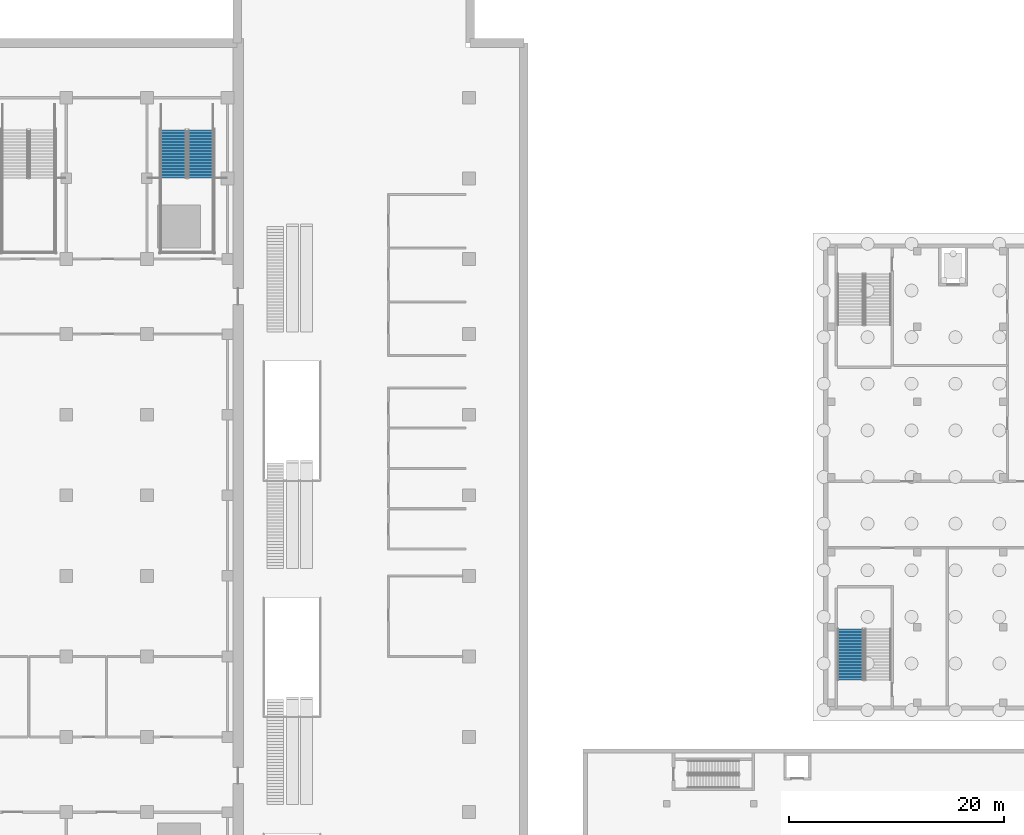
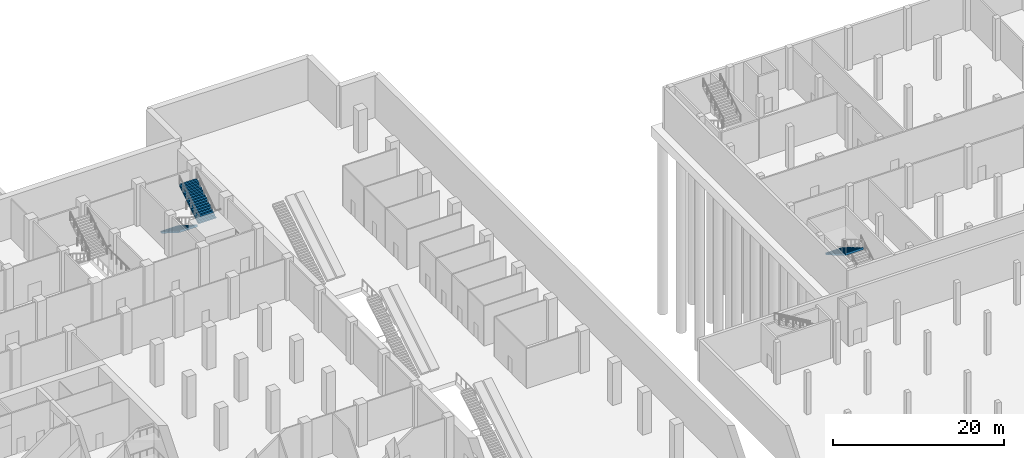
# One storey, part 25 of 45: 3 stair flights, 2 elements without a shape of their own.
"""IFC4 building model written with IfcOpenShell, lengths in metres."""

import ifcopenshell
import ifcopenshell.guid

model = None  # the IFC model being written
_history = None  # IfcOwnerHistory: only IFC2X3 demands one
_inside = {}  # id of a spatial element -> (the spatial element, [elements in it])
_under = {}  # id of a project, library or spatial element -> (it, [spatial elements below it])
_declared = {}  # id of a project -> (the project, [libraries it declares])
_typed = {}  # id of a type object -> (the type object, [elements of that type])
_made_of = {}  # id of a material, layer set ... -> (it, [elements and type objects made of it])


def new_model(schema):
    """Start an empty IFC model of exactly this schema.

    Asked for "IFC4X3", IfcOpenShell would pick the latest addendum, in which some entities
    have other attributes; the version numbers below select the first issue.
    IFC2X3 requires an IfcOwnerHistory on every rooted entity: one is made here for all.
    """
    global model, _history
    if schema == "IFC4X3":
        model = ifcopenshell.file(schema_version=(4, 3, 0, 0))
    else:
        model = ifcopenshell.file(schema=schema)
    _inside.clear()
    _under.clear()
    _declared.clear()
    _typed.clear()
    _made_of.clear()
    _history = None
    if model.schema == "IFC2X3":
        org = make("IfcOrganization", Name="unknown")
        user = make(
            "IfcPersonAndOrganization",
            ThePerson=make("IfcPerson", FamilyName="unknown"),
            TheOrganization=org,
        )
        app = make(
            "IfcApplication",
            ApplicationDeveloper=org,
            Version="unknown",
            ApplicationFullName="unknown",
            ApplicationIdentifier="unknown",
        )
        _history = make(
            "IfcOwnerHistory",
            OwningUser=user,
            OwningApplication=app,
            ChangeAction="ADDED",
            CreationDate=0,
        )
    return model


def make(cls, **values):
    """One entity of the class cls with the attributes given. An attribute that is None is left unset."""
    return model.create_entity(
        cls, **{name: value for name, value in values.items() if value is not None}
    )


def rooted(cls, **values):
    """An entity with a GlobalId (a new one), such as an element, a storey or a relation."""
    return make(cls, GlobalId=ifcopenshell.guid.new(), OwnerHistory=_history, **values)


def si_unit(unit_type, name, prefix=None):
    """IfcSIUnit, for example si_unit("LENGTHUNIT", "METRE", prefix="MILLI")."""
    return make("IfcSIUnit", UnitType=unit_type, Prefix=prefix, Name=name)


def assignment(units):
    """IfcUnitAssignment: the units of a project."""
    return None if units is None else make("IfcUnitAssignment", Units=units)


def point(xyz):
    """IfcCartesianPoint."""
    return None if xyz is None else make("IfcCartesianPoint", Coordinates=xyz)


def direction(xyz):
    """IfcDirection."""
    return None if xyz is None else make("IfcDirection", DirectionRatios=xyz)


def frame(location, z_axis=None, x_axis=None):
    """IfcAxis2Placement3D, a coordinate frame: its origin and axes. An axis left out is left unset."""
    return make(
        "IfcAxis2Placement3D",
        Location=point(location),
        Axis=direction(z_axis),
        RefDirection=direction(x_axis),
    )


def origin():
    """The frame at (0, 0, 0) with its axes left unset."""
    return frame((0.0, 0.0, 0.0))


def place(relative_to, where):
    """IfcLocalPlacement: puts the frame where relative to a parent placement (None: the world)."""
    return make(
        "IfcLocalPlacement", PlacementRelTo=relative_to, RelativePlacement=where
    )


def context(
    kind, dimensions, precision=None, world=None, true_north=None, identifier=None
):
    """IfcGeometricRepresentationContext, for example the 3D "Model" context."""
    return make(
        "IfcGeometricRepresentationContext",
        ContextIdentifier=identifier,
        ContextType=kind,
        CoordinateSpaceDimension=dimensions,
        Precision=precision,
        WorldCoordinateSystem=world,
        TrueNorth=true_north,
    )


def subcontext(parent, identifier, kind, view, scale=None):
    """IfcGeometricRepresentationSubContext, for example "Body" below "Model"."""
    return make(
        "IfcGeometricRepresentationSubContext",
        ContextIdentifier=identifier,
        ContextType=kind,
        ParentContext=parent,
        TargetScale=scale,
        TargetView=view,
    )


def project(units=None, contexts=None):
    """IfcProject with its units and contexts."""
    return rooted(
        "IfcProject",
        Name="project",
        RepresentationContexts=contexts,
        UnitsInContext=assignment(units),
    )


def spatial(cls, under=None, at=None, **own):
    """A site, building, storey or space (cls), placed at a placement, below another one or the project."""
    s = rooted(cls, ObjectPlacement=at, **own)
    if under is not None:
        _under.setdefault(under.id(), (under, []))[1].append(s)
    return s


def polyline(points):
    """IfcPolyline through the points."""
    return make("IfcPolyline", Points=[point(p) for p in points])


def outline(outer, holes=None, kind="AREA"):
    """IfcArbitraryClosedProfileDef: a profile drawn as a closed curve; with holes, ...WithVoids."""
    if holes is None:
        return make("IfcArbitraryClosedProfileDef", ProfileType=kind, OuterCurve=outer)
    return make(
        "IfcArbitraryProfileDefWithVoids",
        ProfileType=kind,
        OuterCurve=outer,
        InnerCurves=holes,
    )


def extrude(swept, where, along, depth):
    """IfcExtrudedAreaSolid: the profile swept, set in the frame where, extruded along a direction by depth."""
    return make(
        "IfcExtrudedAreaSolid",
        SweptArea=swept,
        Position=where,
        ExtrudedDirection=direction(along),
        Depth=depth,
    )


def shape(context_of_items, identifier, shape_type, items):
    """IfcShapeRepresentation: the items that make up one representation, for example the "Body"."""
    return make(
        "IfcShapeRepresentation",
        ContextOfItems=context_of_items,
        RepresentationIdentifier=identifier,
        RepresentationType=shape_type,
        Items=items,
    )


def material(Name=None, Category=None):
    """IfcMaterial."""
    return make("IfcMaterial", Name=Name, Category=Category)


def made_of(thing, what):
    """Note that an element or type object is made of a material, layer set ...; save() writes the relation."""
    if what is not None:
        _made_of.setdefault(what.id(), (what, []))[1].append(thing)
    return thing


def type_object(cls, material=None, **own):
    """A type object (cls), such as IfcWallType, which elements share."""
    return made_of(rooted(cls, **own), material)


def element(
    cls,
    number,
    at=None,
    inside=None,
    cuts=None,
    type_object=None,
    material=None,
    context=None,
    identifier="Body",
    shape_type=None,
    held_by="IfcProductDefinitionShape",
    body=None,
    shapes=None,
    **own,
):
    """One element of the class cls, such as IfcWall. Its Tag is "e" and its number.

    at: its placement. inside: the storey or other place that contains it. cuts: it is an
    opening in that element (IfcRelVoidsElement). A single representation is given by context,
    identifier, shape_type and body (its items); several are given by shapes. held_by: the class
    of the entity that holds the representations. save() writes the other relations.
    """
    e = rooted(cls, Tag="e%d" % number, ObjectPlacement=at, **own)
    if body is not None:
        shapes = [shape(context, identifier, shape_type, body)]
    if shapes is not None:
        e.Representation = make(held_by, Representations=shapes)
    if inside is not None:
        _inside.setdefault(inside.id(), (inside, []))[1].append(e)
    if cuts is not None:
        rooted(
            "IfcRelVoidsElement", RelatingBuildingElement=cuts, RelatedOpeningElement=e
        )
    if type_object is not None:
        _typed.setdefault(type_object.id(), (type_object, []))[1].append(e)
    return made_of(e, material)


def aggregate(whole, parts):
    """IfcRelAggregates: a whole, such as a stair, and the parts it consists of."""
    return rooted("IfcRelAggregates", RelatingObject=whole, RelatedObjects=parts)


def save(model, path):
    """Write the relations noted so far, then the file.

    IfcRelAggregates (storeys below a building ...), IfcRelContainedInSpatialStructure (elements
    in a storey), IfcRelDefinesByType, IfcRelAssociatesMaterial and IfcRelDeclares: one each for
    every whole, place, type object, material and project.
    """
    for whole, parts in _under.values():
        aggregate(whole, parts)
    for where, things in _inside.values():
        rooted(
            "IfcRelContainedInSpatialStructure",
            RelatedElements=things,
            RelatingStructure=where,
        )
    for kind, things in _typed.values():
        rooted("IfcRelDefinesByType", RelatedObjects=things, RelatingType=kind)
    for what, things in _made_of.values():
        rooted("IfcRelAssociatesMaterial", RelatedObjects=things, RelatingMaterial=what)
    for by, libraries in _declared.values():
        rooted("IfcRelDeclares", RelatingContext=by, RelatedDefinitions=libraries)
    model.write(path)


model = new_model("IFC4")

# Units and contexts
model_context = context("Model", 3, precision=1e-05, world=origin(), true_north=direction((0.0, 1.0)))
body_context = subcontext(model_context, "Body", "Model", "MODEL_VIEW")
ifc_project = project(units=[si_unit("LENGTHUNIT", "METRE"), si_unit("AREAUNIT", "SQUARE_METRE"), si_unit("VOLUMEUNIT", "CUBIC_METRE"), si_unit("PLANEANGLEUNIT", "RADIAN"), si_unit("MASSUNIT", "GRAM", prefix="KILO")], contexts=[model_context])

# Site, building, storey
site_placement = place(None, origin())
site = spatial("IfcSite", under=ifc_project, at=site_placement, CompositionType="ELEMENT")
building_placement = place(site_placement, origin())
building = spatial("IfcBuilding", under=site, at=building_placement, Name="Tamorin Gate", CompositionType="ELEMENT")
storey_placement = place(building_placement, frame((0.0, 0.0, -6.0)))
storey = spatial("IfcBuildingStorey", under=building, at=storey_placement, Name="B1", CompositionType="ELEMENT", Elevation=-6.0)

# Stair, stair flight
ifc_material_1 = material(Name="Concrete C40/50", Category="concrete")
stair_type_1 = type_object("IfcStairType", Name="Museum exit stair 2400 C40/50", PredefinedType="HALF_TURN_STAIR", material=ifc_material_1)
stair_1_placement = place(storey_placement, origin())
stair_1 = element("IfcStair", 1, at=stair_1_placement, inside=storey, type_object=stair_type_1, Name="B1 PS8", PredefinedType="HALF_TURN_STAIR")
stair_flight_type_1 = type_object("IfcStairFlightType", Name="Museum exit stair flight 2400 C40/50", PredefinedType="STRAIGHT", material=ifc_material_1)
stair_flight_1_placement = place(storey_placement, frame((147.5, 62.56005859375, 3.0), z_axis=(0.0, 0.0, 1.0), x_axis=(0.0, -1.0, 0.0)))
stair_flight_1 = element("IfcStairFlight", 2, at=stair_flight_1_placement, type_object=stair_flight_type_1, Name="PS8 flight 2", NumberOfRisers=18, NumberOfTreads=17, PredefinedType="STRAIGHT", RiserHeight=0.166666667, TreadLength=0.28, context=body_context, shape_type="SweptSolid", body=[
    extrude(outline(polyline([(-0.00048828125, 0.0), (-0.00048828125, 0.001708984375), (-0.00048828125, 0.00341796875), (-0.00048828125, 0.0048828125), (-0.00048828125, 0.006591796875), (-0.00048828125, 0.00830078125), (-0.00048828125, 0.010009765625), (-0.00048828125, 0.011474609375), (-0.00048828125, 0.01318359375), (-0.00048828125, 0.014892578125), (-0.00048828125, 0.0166015625), (-0.00048828125, 0.01806640625), (-0.00048828125, 0.019775390625), (-0.00048828125, 0.021484375), (-0.00048828125, 0.023193359375), (-0.00048828125, 0.024658203125), (-0.00048828125, 0.0263671875), (-0.00048828125, 0.028076171875), (-0.00048828125, 0.02978515625), (-0.00048828125, 0.03125), (-0.00048828125, 0.032958984375), (-0.00048828125, 0.03466796875), (-0.00048828125, 0.036376953125), (-0.00048828125, 0.037841796875), (-0.00048828125, 0.03955078125), (-0.00048828125, 0.041259765625), (-0.00048828125, 0.04296875), (-0.00048828125, 0.04443359375), (-0.00048828125, 0.046142578125), (-0.00048828125, 0.0478515625), (-0.00048828125, 0.049560546875), (-0.00048828125, 0.05126953125), (-0.00048828125, 0.052734375), (-0.00048828125, 0.054443359375), (-0.00048828125, 0.05615234375), (-0.00048828125, 0.057861328125), (-0.00048828125, 0.059326171875), (-0.00048828125, 0.06103515625), (-0.00048828125, 0.062744140625), (-0.00048828125, 0.064453125), (-0.00048828125, 0.06591796875), (-0.00048828125, 0.067626953125), (-0.00048828125, 0.0693359375), (-0.00048828125, 0.071044921875), (-0.00048828125, 0.072509765625), (-0.00048828125, 0.07421875), (-0.00048828125, 0.075927734375), (-0.00048828125, 0.07763671875), (-0.00048828125, 0.0791015625), (-0.00048828125, 0.080810546875), (-0.00048828125, 0.08251953125), (-0.00048828125, 0.084228515625), (-0.00048828125, 0.085693359375), (-0.00048828125, 0.08740234375), (-0.00048828125, 0.089111328125), (-0.00048828125, 0.0908203125), (-0.00048828125, 0.092529296875), (-0.00048828125, 0.093994140625), (-0.00048828125, 0.095703125), (-0.00048828125, 0.097412109375), (-0.00048828125, 0.09912109375), (-0.00048828125, 0.1005859375), (-0.00048828125, 0.102294921875), (-0.00048828125, 0.10400390625), (-0.00048828125, 0.105712890625), (-0.00048828125, 0.107177734375), (-0.00048828125, 0.10888671875), (-0.00048828125, 0.110595703125), (-0.00048828125, 0.1123046875), (-0.00048828125, 0.11376953125), (-0.00048828125, 0.115478515625), (-0.00048828125, 0.1171875), (-0.00048828125, 0.118896484375), (-0.00048828125, 0.120361328125), (-0.00048828125, 0.1220703125), (-0.00048828125, 0.123779296875), (-0.00048828125, 0.12548828125), (-0.00048828125, 0.126953125), (-0.00048828125, 0.128662109375), (-0.00048828125, 0.13037109375), (-0.00048828125, 0.132080078125), (-0.00048828125, 0.133544921875), (-0.00048828125, 0.13525390625), (-0.00048828125, 0.136962890625), (-0.00048828125, 0.138671875), (-0.00048828125, 0.140380859375), (-0.00048828125, 0.141845703125), (-0.00048828125, 0.1435546875), (-0.00048828125, 0.145263671875), (-0.00048828125, 0.14697265625), (-0.00048828125, 0.1484375), (-0.00048828125, 0.150146484375), (-0.00048828125, 0.15185546875), (-0.00048828125, 0.153564453125), (-0.00048828125, 0.155029296875), (-0.00048828125, 0.15673828125), (-0.00048828125, 0.158447265625), (-0.00048828125, 0.16015625), (-0.00048828125, 0.16162109375), (-0.00048828125, 0.163330078125), (-0.00048828125, 0.1650390625), (-0.00048828125, 0.166748046875), (0.280029296875, 0.166748046875), (0.280029296875, 0.333251953125), (0.56005859375, 0.333251953125), (0.56005859375, 0.5), (0.840087890625, 0.5), (0.840087890625, 0.666748046875), (1.1201171875, 0.666748046875), (1.1201171875, 0.833251953125), (1.39990234375, 0.833251953125), (1.39990234375, 1.0), (1.679931640625, 1.0), (1.679931640625, 1.166748046875), (1.9599609375, 1.166748046875), (1.9599609375, 1.333251953125), (2.239990234375, 1.333251953125), (2.239990234375, 1.5), (2.52001953125, 1.5), (2.52001953125, 1.666748046875), (2.800048828125, 1.666748046875), (2.800048828125, 1.833251953125), (3.080078125, 1.833251953125), (3.080078125, 2.0), (3.360107421875, 2.0), (3.360107421875, 2.166748046875), (3.639892578125, 2.166748046875), (3.639892578125, 2.333251953125), (3.919921875, 2.333251953125), (3.919921875, 2.5), (4.199951171875, 2.5), (4.199951171875, 2.666748046875), (4.47998046875, 2.666748046875), (4.47998046875, 2.833251953125), (4.760009765625, 2.833251953125), (4.760009765625, 3.0), (4.760498046875, 3.0), (4.760498046875, 2.99658203125), (4.760498046875, 2.9931640625), (4.760498046875, 2.98974609375), (4.760498046875, 2.986572265625), (4.760498046875, 2.983154296875), (4.760498046875, 2.979736328125), (4.760498046875, 2.976318359375), (4.760498046875, 2.972900390625), (4.760498046875, 2.969482421875), (4.760498046875, 2.96630859375), (4.760498046875, 2.962890625), (4.760498046875, 2.95947265625), (4.760498046875, 2.9560546875), (4.760498046875, 2.95263671875), (4.760498046875, 2.94921875), (4.760498046875, 2.946044921875), (4.760498046875, 2.942626953125), (4.760498046875, 2.939208984375), (4.760498046875, 2.935791015625), (4.760498046875, 2.932373046875), (4.760498046875, 2.928955078125), (4.760498046875, 2.92578125), (4.760498046875, 2.92236328125), (4.760498046875, 2.9189453125), (4.760498046875, 2.91552734375), (4.760498046875, 2.912109375), (4.760498046875, 2.90869140625), (4.760498046875, 2.905517578125), (4.760498046875, 2.902099609375), (4.760498046875, 2.898681640625), (4.760498046875, 2.895263671875), (4.760498046875, 2.891845703125), (4.760498046875, 2.888427734375), (4.760498046875, 2.88525390625), (4.760498046875, 2.8818359375), (4.760498046875, 2.87841796875), (4.760498046875, 2.875), (4.760498046875, 2.87158203125), (4.760498046875, 2.8681640625), (4.760498046875, 2.864990234375), (4.760498046875, 2.861572265625), (4.760498046875, 2.858154296875), (4.760498046875, 2.854736328125), (4.760498046875, 2.851318359375), (4.760498046875, 2.847900390625), (4.760498046875, 2.8447265625), (4.760498046875, 2.84130859375), (4.760498046875, 2.837890625), (4.760498046875, 2.83447265625), (4.760498046875, 2.8310546875), (4.760498046875, 2.82763671875), (4.760498046875, 2.824462890625), (4.760498046875, 2.821044921875), (4.760498046875, 2.817626953125), (4.760498046875, 2.814208984375), (4.760498046875, 2.810791015625), (4.760498046875, 2.807373046875), (4.760498046875, 2.80419921875), (4.760498046875, 2.80078125), (4.760498046875, 2.79736328125), (4.760498046875, 2.7939453125), (4.760498046875, 2.79052734375), (4.760498046875, 2.787109375), (4.760498046875, 2.783935546875), (4.760498046875, 2.780517578125), (4.760498046875, 2.777099609375), (4.760498046875, 2.773681640625), (4.760498046875, 2.770263671875), (4.760498046875, 2.766845703125), (4.760498046875, 2.763671875), (4.760498046875, 2.76025390625), (4.760498046875, 2.7568359375), (4.760498046875, 2.75341796875), (4.760498046875, 2.75), (4.760498046875, 2.74658203125), (4.760498046875, 2.743408203125), (4.760498046875, 2.739990234375), (4.760498046875, 2.736572265625), (4.760498046875, 2.733154296875), (4.760498046875, 2.729736328125), (4.760498046875, 2.726318359375), (4.760498046875, 2.72314453125), (4.760498046875, 2.7197265625), (4.760498046875, 2.71630859375), (4.760498046875, 2.712890625), (4.760498046875, 2.70947265625), (4.760498046875, 2.7060546875), (4.760498046875, 2.702880859375), (4.760498046875, 2.699462890625), (4.760498046875, 2.696044921875), (4.760498046875, 2.692626953125), (4.760498046875, 2.689208984375), (4.760498046875, 2.685791015625), (4.760498046875, 2.6826171875), (4.760498046875, 2.67919921875), (4.760498046875, 2.67578125), (4.760498046875, 2.67236328125), (4.760498046875, 2.6689453125), (4.760498046875, 2.66552734375), (4.760498046875, 2.662353515625), (4.760498046875, 2.658935546875), (4.760009765625, 2.658935546875), (0.29296875, 0.0), (-0.00048828125, 0.0)])), frame((0.0, 1.199951171875, 0.0), z_axis=(0.0, -1.0, 0.0), x_axis=(1.0, 0.0, 0.0)), (0.0, 0.0, 1.0), 2.39990234375),
])
aggregate(stair_1, [stair_flight_1])

# Stair, stair flights
ifc_material_2 = material(Name="Reinforced concrete C32/40", Category="concrete")
stair_type_2 = type_object("IfcStairType", Name="Basement stair SB", PredefinedType="HALF_TURN_STAIR", material=ifc_material_2)
stair_2_placement = place(storey_placement, origin())
stair_2 = element("IfcStair", 3, at=stair_2_placement, inside=storey, type_object=stair_type_2, Name="B1 Basement stair SB5", PredefinedType="HALF_TURN_STAIR")
stair_flight_type_2 = type_object("IfcStairFlightType", Name="Stair flight 2400", PredefinedType="STRAIGHT", material=ifc_material_2)
stair_flight_2_placement = place(storey_placement, frame((84.47509765625, 109.0, 0.0), z_axis=(0.0, 0.0, 1.0), x_axis=(0.0, -1.0, 0.0)))
stair_flight_2 = element("IfcStairFlight", 4, at=stair_flight_2_placement, type_object=stair_flight_type_2, Name="SB5 flight 1", NumberOfRisers=17, NumberOfTreads=16, PredefinedType="STRAIGHT", RiserHeight=0.176470588, TreadLength=0.28, context=body_context, shape_type="SweptSolid", body=[
    extrude(outline(polyline([(-0.00048828125, 0.0), (-0.00048828125, 0.001708984375), (-0.00048828125, 0.00341796875), (-0.00048828125, 0.005126953125), (-0.00048828125, 0.007080078125), (-0.00048828125, 0.0087890625), (-0.00048828125, 0.010498046875), (-0.00048828125, 0.01220703125), (-0.00048828125, 0.013916015625), (-0.00048828125, 0.015625), (-0.00048828125, 0.017578125), (-0.00048828125, 0.019287109375), (-0.00048828125, 0.02099609375), (-0.00048828125, 0.022705078125), (-0.00048828125, 0.0244140625), (-0.00048828125, 0.026123046875), (-0.00048828125, 0.028076171875), (-0.00048828125, 0.02978515625), (-0.00048828125, 0.031494140625), (-0.00048828125, 0.033203125), (-0.00048828125, 0.034912109375), (-0.00048828125, 0.03662109375), (-0.00048828125, 0.038330078125), (-0.00048828125, 0.040283203125), (-0.00048828125, 0.0419921875), (-0.00048828125, 0.043701171875), (-0.00048828125, 0.04541015625), (-0.00048828125, 0.047119140625), (-0.00048828125, 0.048828125), (-0.00048828125, 0.05078125), (-0.00048828125, 0.052490234375), (-0.00048828125, 0.05419921875), (-0.00048828125, 0.055908203125), (-0.00048828125, 0.0576171875), (-0.00048828125, 0.059326171875), (-0.00048828125, 0.06103515625), (-0.00048828125, 0.06298828125), (-0.00048828125, 0.064697265625), (-0.00048828125, 0.06640625), (-0.00048828125, 0.068115234375), (-0.00048828125, 0.06982421875), (-0.00048828125, 0.071533203125), (-0.00048828125, 0.073486328125), (-0.00048828125, 0.0751953125), (-0.00048828125, 0.076904296875), (-0.00048828125, 0.07861328125), (-0.00048828125, 0.080322265625), (-0.00048828125, 0.08203125), (-0.00048828125, 0.083984375), (-0.00048828125, 0.085693359375), (-0.00048828125, 0.08740234375), (-0.00048828125, 0.089111328125), (-0.00048828125, 0.0908203125), (-0.00048828125, 0.092529296875), (-0.00048828125, 0.09423828125), (-0.00048828125, 0.09619140625), (-0.00048828125, 0.097900390625), (-0.00048828125, 0.099609375), (-0.00048828125, 0.101318359375), (-0.00048828125, 0.10302734375), (-0.00048828125, 0.104736328125), (-0.00048828125, 0.106689453125), (-0.00048828125, 0.1083984375), (-0.00048828125, 0.110107421875), (-0.00048828125, 0.11181640625), (-0.00048828125, 0.113525390625), (-0.00048828125, 0.115234375), (-0.00048828125, 0.116943359375), (-0.00048828125, 0.118896484375), (-0.00048828125, 0.12060546875), (-0.00048828125, 0.122314453125), (-0.00048828125, 0.1240234375), (-0.00048828125, 0.125732421875), (-0.00048828125, 0.12744140625), (-0.00048828125, 0.12939453125), (-0.00048828125, 0.131103515625), (-0.00048828125, 0.1328125), (-0.00048828125, 0.134521484375), (-0.00048828125, 0.13623046875), (-0.00048828125, 0.137939453125), (-0.00048828125, 0.139892578125), (-0.00048828125, 0.1416015625), (-0.00048828125, 0.143310546875), (-0.00048828125, 0.14501953125), (-0.00048828125, 0.146728515625), (-0.00048828125, 0.1484375), (-0.00048828125, 0.150146484375), (-0.00048828125, 0.152099609375), (-0.00048828125, 0.15380859375), (-0.00048828125, 0.155517578125), (-0.00048828125, 0.1572265625), (-0.00048828125, 0.158935546875), (-0.00048828125, 0.16064453125), (-0.00048828125, 0.16259765625), (-0.00048828125, 0.164306640625), (-0.00048828125, 0.166015625), (-0.00048828125, 0.167724609375), (-0.00048828125, 0.16943359375), (-0.00048828125, 0.171142578125), (-0.00048828125, 0.173095703125), (-0.00048828125, 0.1748046875), (-0.00048828125, 0.176513671875), (0.280029296875, 0.176513671875), (0.280029296875, 0.35302734375), (0.56005859375, 0.35302734375), (0.56005859375, 0.529296875), (0.840087890625, 0.529296875), (0.840087890625, 0.705810546875), (1.1201171875, 0.705810546875), (1.1201171875, 0.88232421875), (1.39990234375, 0.88232421875), (1.39990234375, 1.058837890625), (1.679931640625, 1.058837890625), (1.679931640625, 1.2353515625), (1.9599609375, 1.2353515625), (1.9599609375, 1.411865234375), (2.239990234375, 1.411865234375), (2.239990234375, 1.588134765625), (2.52001953125, 1.588134765625), (2.52001953125, 1.7646484375), (2.800048828125, 1.7646484375), (2.800048828125, 1.941162109375), (3.080078125, 1.941162109375), (3.080078125, 2.11767578125), (3.360107421875, 2.11767578125), (3.360107421875, 2.294189453125), (3.639892578125, 2.294189453125), (3.639892578125, 2.470703125), (3.919921875, 2.470703125), (3.919921875, 2.64697265625), (4.199951171875, 2.64697265625), (4.199951171875, 2.823486328125), (4.47998046875, 2.823486328125), (4.47998046875, 3.0), (4.48046875, 3.0), (4.48046875, 2.99658203125), (4.48046875, 2.992919921875), (4.48046875, 2.989501953125), (4.48046875, 2.986083984375), (4.48046875, 2.982421875), (4.48046875, 2.97900390625), (4.48046875, 2.9755859375), (4.48046875, 2.971923828125), (4.48046875, 2.968505859375), (4.48046875, 2.965087890625), (4.48046875, 2.96142578125), (4.48046875, 2.9580078125), (4.48046875, 2.95458984375), (4.48046875, 2.950927734375), (4.48046875, 2.947509765625), (4.48046875, 2.944091796875), (4.48046875, 2.9404296875), (4.48046875, 2.93701171875), (4.48046875, 2.933349609375), (4.48046875, 2.929931640625), (4.48046875, 2.926513671875), (4.48046875, 2.9228515625), (4.48046875, 2.91943359375), (4.48046875, 2.916015625), (4.48046875, 2.912353515625), (4.48046875, 2.908935546875), (4.48046875, 2.905517578125), (4.48046875, 2.90185546875), (4.48046875, 2.8984375), (4.48046875, 2.89501953125), (4.48046875, 2.891357421875), (4.48046875, 2.887939453125), (4.48046875, 2.884521484375), (4.48046875, 2.880859375), (4.48046875, 2.87744140625), (4.48046875, 2.8740234375), (4.48046875, 2.870361328125), (4.48046875, 2.866943359375), (4.48046875, 2.863525390625), (4.48046875, 2.85986328125), (4.48046875, 2.8564453125), (4.48046875, 2.85302734375), (4.48046875, 2.849365234375), (4.48046875, 2.845947265625), (4.48046875, 2.842529296875), (4.48046875, 2.8388671875), (4.48046875, 2.83544921875), (4.48046875, 2.83203125), (4.48046875, 2.828369140625), (4.48046875, 2.824951171875), (4.48046875, 2.821533203125), (4.48046875, 2.81787109375), (4.48046875, 2.814453125), (4.48046875, 2.81103515625), (4.48046875, 2.807373046875), (4.48046875, 2.803955078125), (4.48046875, 2.80029296875), (4.48046875, 2.796875), (4.48046875, 2.79345703125), (4.48046875, 2.789794921875), (4.48046875, 2.786376953125), (4.48046875, 2.782958984375), (4.48046875, 2.779296875), (4.48046875, 2.77587890625), (4.48046875, 2.7724609375), (4.48046875, 2.768798828125), (4.48046875, 2.765380859375), (4.48046875, 2.761962890625), (4.48046875, 2.75830078125), (4.48046875, 2.7548828125), (4.48046875, 2.75146484375), (4.48046875, 2.747802734375), (4.48046875, 2.744384765625), (4.48046875, 2.740966796875), (4.48046875, 2.7373046875), (4.48046875, 2.73388671875), (4.48046875, 2.73046875), (4.48046875, 2.726806640625), (4.48046875, 2.723388671875), (4.48046875, 2.719970703125), (4.48046875, 2.71630859375), (4.48046875, 2.712890625), (4.48046875, 2.70947265625), (4.48046875, 2.705810546875), (4.48046875, 2.702392578125), (4.48046875, 2.698974609375), (4.48046875, 2.6953125), (4.48046875, 2.69189453125), (4.48046875, 2.6884765625), (4.48046875, 2.684814453125), (4.48046875, 2.681396484375), (4.48046875, 2.677734375), (4.48046875, 2.67431640625), (4.48046875, 2.6708984375), (4.48046875, 2.667236328125), (4.48046875, 2.663818359375), (4.48046875, 2.660400390625), (4.48046875, 2.65673828125), (4.48046875, 2.6533203125), (4.48046875, 2.64990234375), (4.48046875, 2.646240234375), (4.47998046875, 2.646240234375), (0.28125, 0.0), (-0.00048828125, 0.0)])), frame((0.0, 1.199951171875, 0.0), z_axis=(0.0, -1.0, 0.0), x_axis=(1.0, 0.0, 0.0)), (0.0, 0.0, 1.0), 2.39990234375),
])
stair_flight_3_placement = place(storey_placement, frame((87.02490234375, 104.52001953125, 3.0), z_axis=(0.0, 0.0, 1.0), x_axis=(0.0, 1.0, 0.0)))
stair_flight_3 = element("IfcStairFlight", 5, at=stair_flight_3_placement, type_object=stair_flight_type_2, Name="SB5 flight 2", NumberOfRisers=17, NumberOfTreads=16, PredefinedType="STRAIGHT", RiserHeight=0.176470588, TreadLength=0.28, context=body_context, shape_type="SweptSolid", body=[
    extrude(outline(polyline([(-0.00048828125, 0.0), (-0.00048828125, 0.001708984375), (-0.00048828125, 0.00341796875), (-0.00048828125, 0.005126953125), (-0.00048828125, 0.007080078125), (-0.00048828125, 0.0087890625), (-0.00048828125, 0.010498046875), (-0.00048828125, 0.01220703125), (-0.00048828125, 0.013916015625), (-0.00048828125, 0.015625), (-0.00048828125, 0.017578125), (-0.00048828125, 0.019287109375), (-0.00048828125, 0.02099609375), (-0.00048828125, 0.022705078125), (-0.00048828125, 0.0244140625), (-0.00048828125, 0.026123046875), (-0.00048828125, 0.028076171875), (-0.00048828125, 0.02978515625), (-0.00048828125, 0.031494140625), (-0.00048828125, 0.033203125), (-0.00048828125, 0.034912109375), (-0.00048828125, 0.03662109375), (-0.00048828125, 0.038330078125), (-0.00048828125, 0.040283203125), (-0.00048828125, 0.0419921875), (-0.00048828125, 0.043701171875), (-0.00048828125, 0.04541015625), (-0.00048828125, 0.047119140625), (-0.00048828125, 0.048828125), (-0.00048828125, 0.05078125), (-0.00048828125, 0.052490234375), (-0.00048828125, 0.05419921875), (-0.00048828125, 0.055908203125), (-0.00048828125, 0.0576171875), (-0.00048828125, 0.059326171875), (-0.00048828125, 0.06103515625), (-0.00048828125, 0.06298828125), (-0.00048828125, 0.064697265625), (-0.00048828125, 0.06640625), (-0.00048828125, 0.068115234375), (-0.00048828125, 0.06982421875), (-0.00048828125, 0.071533203125), (-0.00048828125, 0.073486328125), (-0.00048828125, 0.0751953125), (-0.00048828125, 0.076904296875), (-0.00048828125, 0.07861328125), (-0.00048828125, 0.080322265625), (-0.00048828125, 0.08203125), (-0.00048828125, 0.083984375), (-0.00048828125, 0.085693359375), (-0.00048828125, 0.08740234375), (-0.00048828125, 0.089111328125), (-0.00048828125, 0.0908203125), (-0.00048828125, 0.092529296875), (-0.00048828125, 0.09423828125), (-0.00048828125, 0.09619140625), (-0.00048828125, 0.097900390625), (-0.00048828125, 0.099609375), (-0.00048828125, 0.101318359375), (-0.00048828125, 0.10302734375), (-0.00048828125, 0.104736328125), (-0.00048828125, 0.106689453125), (-0.00048828125, 0.1083984375), (-0.00048828125, 0.110107421875), (-0.00048828125, 0.11181640625), (-0.00048828125, 0.113525390625), (-0.00048828125, 0.115234375), (-0.00048828125, 0.116943359375), (-0.00048828125, 0.118896484375), (-0.00048828125, 0.12060546875), (-0.00048828125, 0.122314453125), (-0.00048828125, 0.1240234375), (-0.00048828125, 0.125732421875), (-0.00048828125, 0.12744140625), (-0.00048828125, 0.12939453125), (-0.00048828125, 0.131103515625), (-0.00048828125, 0.1328125), (-0.00048828125, 0.134521484375), (-0.00048828125, 0.13623046875), (-0.00048828125, 0.137939453125), (-0.00048828125, 0.139892578125), (-0.00048828125, 0.1416015625), (-0.00048828125, 0.143310546875), (-0.00048828125, 0.14501953125), (-0.00048828125, 0.146728515625), (-0.00048828125, 0.1484375), (-0.00048828125, 0.150146484375), (-0.00048828125, 0.152099609375), (-0.00048828125, 0.15380859375), (-0.00048828125, 0.155517578125), (-0.00048828125, 0.1572265625), (-0.00048828125, 0.158935546875), (-0.00048828125, 0.16064453125), (-0.00048828125, 0.16259765625), (-0.00048828125, 0.164306640625), (-0.00048828125, 0.166015625), (-0.00048828125, 0.167724609375), (-0.00048828125, 0.16943359375), (-0.00048828125, 0.171142578125), (-0.00048828125, 0.173095703125), (-0.00048828125, 0.1748046875), (-0.00048828125, 0.176513671875), (0.280029296875, 0.176513671875), (0.280029296875, 0.35302734375), (0.56005859375, 0.35302734375), (0.56005859375, 0.529296875), (0.840087890625, 0.529296875), (0.840087890625, 0.705810546875), (1.1201171875, 0.705810546875), (1.1201171875, 0.88232421875), (1.39990234375, 0.88232421875), (1.39990234375, 1.058837890625), (1.679931640625, 1.058837890625), (1.679931640625, 1.2353515625), (1.9599609375, 1.2353515625), (1.9599609375, 1.411865234375), (2.239990234375, 1.411865234375), (2.239990234375, 1.588134765625), (2.52001953125, 1.588134765625), (2.52001953125, 1.7646484375), (2.800048828125, 1.7646484375), (2.800048828125, 1.941162109375), (3.080078125, 1.941162109375), (3.080078125, 2.11767578125), (3.360107421875, 2.11767578125), (3.360107421875, 2.294189453125), (3.639892578125, 2.294189453125), (3.639892578125, 2.470703125), (3.919921875, 2.470703125), (3.919921875, 2.64697265625), (4.199951171875, 2.64697265625), (4.199951171875, 2.823486328125), (4.47998046875, 2.823486328125), (4.47998046875, 3.0), (4.48046875, 3.0), (4.48046875, 2.99658203125), (4.48046875, 2.992919921875), (4.48046875, 2.989501953125), (4.48046875, 2.986083984375), (4.48046875, 2.982421875), (4.48046875, 2.97900390625), (4.48046875, 2.9755859375), (4.48046875, 2.971923828125), (4.48046875, 2.968505859375), (4.48046875, 2.965087890625), (4.48046875, 2.96142578125), (4.48046875, 2.9580078125), (4.48046875, 2.95458984375), (4.48046875, 2.950927734375), (4.48046875, 2.947509765625), (4.48046875, 2.944091796875), (4.48046875, 2.9404296875), (4.48046875, 2.93701171875), (4.48046875, 2.933349609375), (4.48046875, 2.929931640625), (4.48046875, 2.926513671875), (4.48046875, 2.9228515625), (4.48046875, 2.91943359375), (4.48046875, 2.916015625), (4.48046875, 2.912353515625), (4.48046875, 2.908935546875), (4.48046875, 2.905517578125), (4.48046875, 2.90185546875), (4.48046875, 2.8984375), (4.48046875, 2.89501953125), (4.48046875, 2.891357421875), (4.48046875, 2.887939453125), (4.48046875, 2.884521484375), (4.48046875, 2.880859375), (4.48046875, 2.87744140625), (4.48046875, 2.8740234375), (4.48046875, 2.870361328125), (4.48046875, 2.866943359375), (4.48046875, 2.863525390625), (4.48046875, 2.85986328125), (4.48046875, 2.8564453125), (4.48046875, 2.85302734375), (4.48046875, 2.849365234375), (4.48046875, 2.845947265625), (4.48046875, 2.842529296875), (4.48046875, 2.8388671875), (4.48046875, 2.83544921875), (4.48046875, 2.83203125), (4.48046875, 2.828369140625), (4.48046875, 2.824951171875), (4.48046875, 2.821533203125), (4.48046875, 2.81787109375), (4.48046875, 2.814453125), (4.48046875, 2.81103515625), (4.48046875, 2.807373046875), (4.48046875, 2.803955078125), (4.48046875, 2.80029296875), (4.48046875, 2.796875), (4.48046875, 2.79345703125), (4.48046875, 2.789794921875), (4.48046875, 2.786376953125), (4.48046875, 2.782958984375), (4.48046875, 2.779296875), (4.48046875, 2.77587890625), (4.48046875, 2.7724609375), (4.48046875, 2.768798828125), (4.48046875, 2.765380859375), (4.48046875, 2.761962890625), (4.48046875, 2.75830078125), (4.48046875, 2.7548828125), (4.48046875, 2.75146484375), (4.48046875, 2.747802734375), (4.48046875, 2.744384765625), (4.48046875, 2.740966796875), (4.48046875, 2.7373046875), (4.48046875, 2.73388671875), (4.48046875, 2.73046875), (4.48046875, 2.726806640625), (4.48046875, 2.723388671875), (4.48046875, 2.719970703125), (4.48046875, 2.71630859375), (4.48046875, 2.712890625), (4.48046875, 2.70947265625), (4.48046875, 2.705810546875), (4.48046875, 2.702392578125), (4.48046875, 2.698974609375), (4.48046875, 2.6953125), (4.48046875, 2.69189453125), (4.48046875, 2.6884765625), (4.48046875, 2.684814453125), (4.48046875, 2.681396484375), (4.48046875, 2.677734375), (4.48046875, 2.67431640625), (4.48046875, 2.6708984375), (4.48046875, 2.667236328125), (4.48046875, 2.663818359375), (4.48046875, 2.660400390625), (4.48046875, 2.65673828125), (4.48046875, 2.6533203125), (4.48046875, 2.64990234375), (4.48046875, 2.646240234375), (4.47998046875, 2.646240234375), (0.28125, 0.0), (-0.00048828125, 0.0)])), frame((0.0, 1.199951171875, 0.0), z_axis=(0.0, -1.0, 0.0), x_axis=(1.0, 0.0, 0.0)), (0.0, 0.0, 1.0), 2.39990234375),
])
aggregate(stair_2, [stair_flight_2, stair_flight_3])

save(model, "model.ifc")
